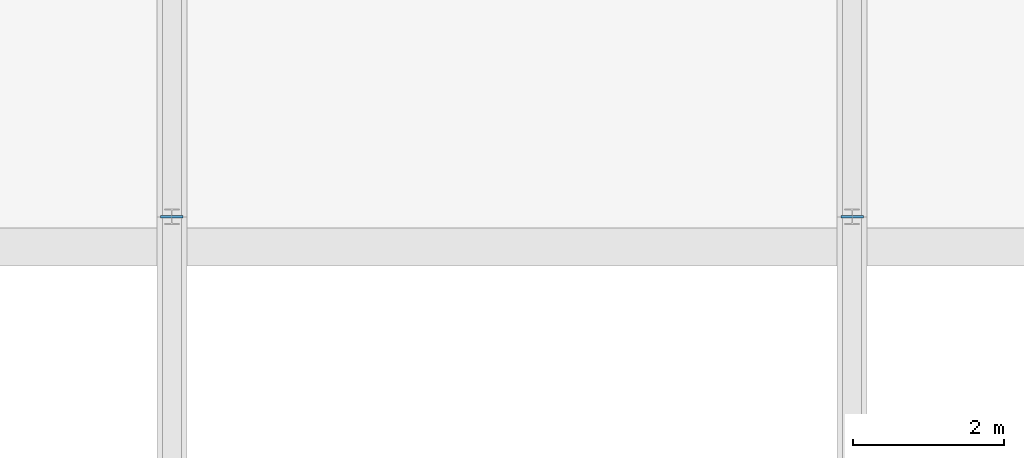
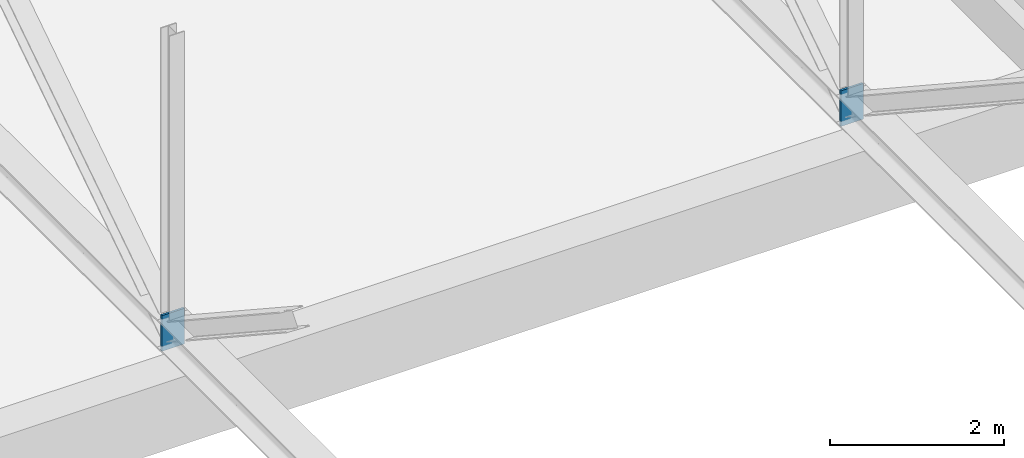
# One storey, part 40 of 49: 2 discrete accessories.
"""IFC4 building model written with IfcOpenShell, lengths in metres."""

from ifc_helpers import new_model, si_unit, direction, frame, origin, origin_2d, place, context, subcontext, project, spatial, rectangle, extrude, material, layer, layer_set, type_object, element, save


model = new_model("IFC4")

# Units and contexts
model_context = context("Model", 3, precision=1e-05, world=origin(), true_north=direction((0.0, 1.0)))
body_context = subcontext(model_context, "Body", "Model", "MODEL_VIEW")
ifc_project = project(units=[si_unit("LENGTHUNIT", "METRE"), si_unit("AREAUNIT", "SQUARE_METRE"), si_unit("VOLUMEUNIT", "CUBIC_METRE"), si_unit("PLANEANGLEUNIT", "RADIAN"), si_unit("MASSUNIT", "GRAM", prefix="KILO")], contexts=[model_context])

# Site, building, storey
site_placement = place(None, origin())
site = spatial("IfcSite", under=ifc_project, at=site_placement, CompositionType="ELEMENT")
building_placement = place(site_placement, origin())
building = spatial("IfcBuilding", under=site, at=building_placement, Name="Hunhe Ridgeline Campus", CompositionType="ELEMENT")
storey_placement = place(building_placement, frame((0.0, 0.0, 21.60009765625)))
storey = spatial("IfcBuildingStorey", under=building, at=storey_placement, Name="L04", CompositionType="ELEMENT", Elevation=21.60009765625)

# Discrete accessories
ifc_material = material(Name="Steel Q355", Category="steel")
ifc_layer = layer(ifc_material, 0.030029296875)
ifc_layer_set = layer_set([ifc_layer], Name="Cast-in plate 300x500x30 Steel Q355")
discrete_accessory_type = type_object("IfcDiscreteAccessoryType", Name="Cast-in plate 300x500x30 Steel Q355", PredefinedType="BRACKET", material=ifc_layer_set)
for number, where, z_axis, x_axis, name in (
    (1, (198.0, 62.89990234375, 0.539794921875), (0.0, 0.0, 1.0), (0.0, 1.0, 0.0), "Roof truss 6 cast-in plate node 6 bottom"),
    (2, (207.0, 62.89990234375, 0.539794921875), (0.0, 0.0, 1.0), (0.0, 1.0, 0.0), "Roof truss 7 cast-in plate node 6 bottom"),
):
    element("IfcDiscreteAccessory", number, at=place(storey_placement, frame(where, z_axis=z_axis, x_axis=x_axis)), inside=storey, type_object=discrete_accessory_type, Name=name, PredefinedType="BRACKET", context=body_context, shape_type="SweptSolid", body=[
        extrude(rectangle(XDim=0.030029296875, YDim=0.300048828125, at=origin_2d()), origin(), (0.0, 0.0, 1.0), 0.5),
    ])

save(model, "model.ifc")
